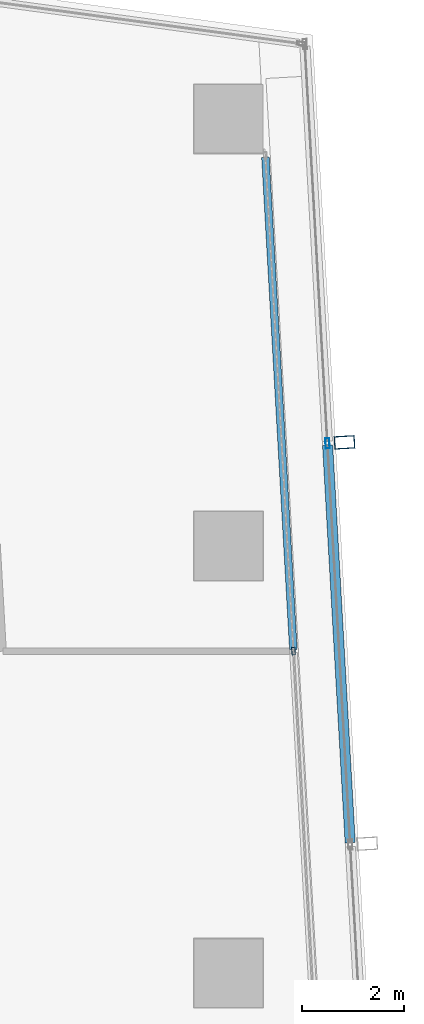
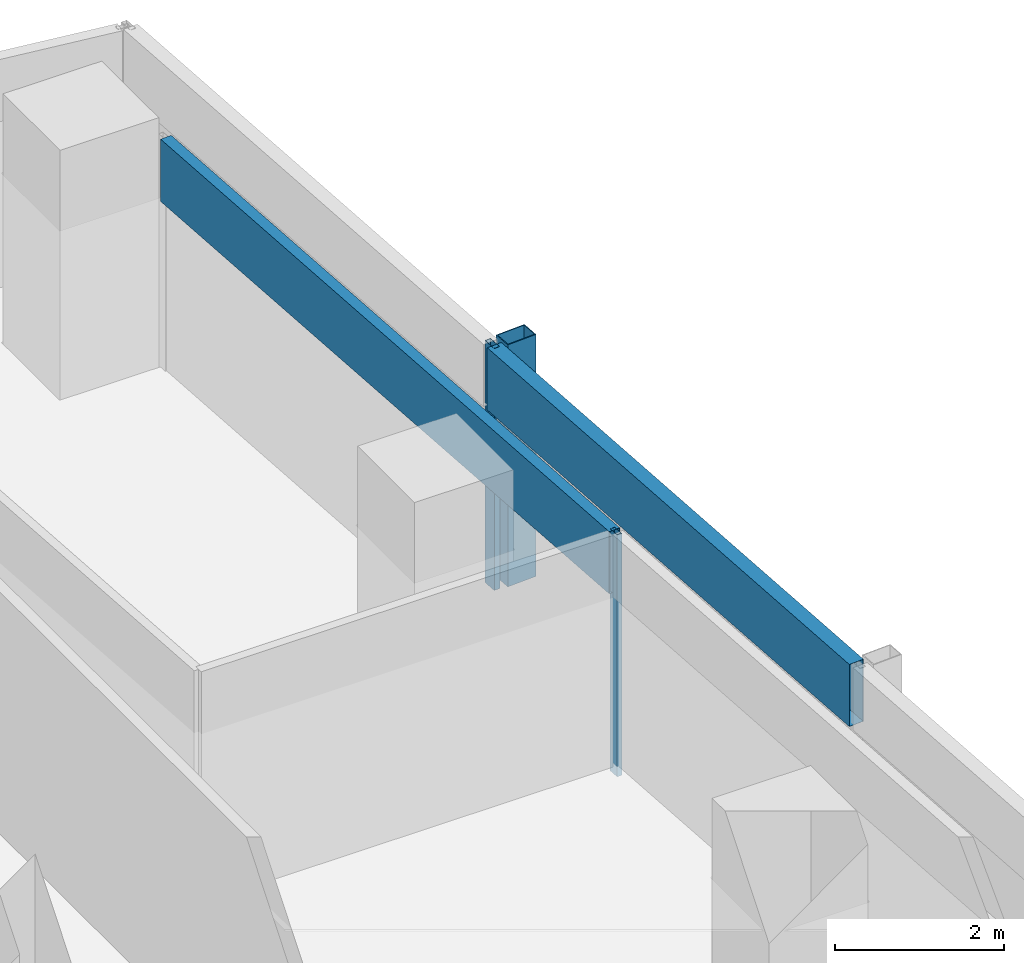
# One storey, part 23 of 40: 5 members, 2 elements without a shape of their own.
"""IFC4 building model written with IfcOpenShell, lengths in metres."""

from ifc_helpers import new_model, si_unit, direction, frame, origin, origin_2d, place, context, subcontext, project, spatial, hollow_rectangle, extrude, material, material_profile, profile_set, type_object, element, aggregate, save


model = new_model("IFC4")

# Units and contexts
model_context = context("Model", 3, precision=1e-05, world=origin(), true_north=direction((0.0, 1.0)))
body_context = subcontext(model_context, "Body", "Model", "MODEL_VIEW")
ifc_project = project(units=[si_unit("LENGTHUNIT", "METRE"), si_unit("AREAUNIT", "SQUARE_METRE"), si_unit("VOLUMEUNIT", "CUBIC_METRE"), si_unit("PLANEANGLEUNIT", "RADIAN"), si_unit("MASSUNIT", "GRAM", prefix="KILO")], contexts=[model_context])

# Site, building, storey
site_placement = place(None, origin())
site = spatial("IfcSite", under=ifc_project, at=site_placement, CompositionType="ELEMENT")
building_placement = place(site_placement, origin())
building = spatial("IfcBuilding", under=site, at=building_placement, Name="Rekha Terrace Tower", CompositionType="ELEMENT")
storey_placement = place(building_placement, frame((0.0, 0.0, 210.199951171875)))
storey = spatial("IfcBuildingStorey", under=building, at=storey_placement, Name="L53", CompositionType="ELEMENT", Elevation=210.199951171875)

# Curtain wall, member
ifc_material_1 = material(Name="Aluminium framing", Category="aluminium")
curtain_wall_type_1 = type_object("IfcCurtainWallType", Name="CW2 double skin outer glazing", PredefinedType="USERDEFINED", material=ifc_material_1)
curtain_wall_1_placement = place(storey_placement, origin())
curtain_wall_1 = element("IfcCurtainWall", 1, at=curtain_wall_1_placement, inside=storey, type_object=curtain_wall_type_1, Name="CW2 double skin outer glazing", ObjectType="DOUBLE SKIN OUTER GLAZING", PredefinedType="USERDEFINED")
ifc_material_2 = material(Name="Steel S355 with fluorocarbon finish", Category="steel")
ifc_material_profile_1 = material_profile(ifc_material_2, hollow_rectangle(XDim=0.25, YDim=0.39990234375, WallThickness=0.012451171875, at=origin_2d()), Name="RHS400x250x12.5")
ifc_profile_set_1 = profile_set([ifc_material_profile_1], Name="Steel S355 with fluorocarbon finish")
member_type_1 = type_object("IfcMemberType", Name="BL1 facade blade RHS 400 x 250", PredefinedType="USERDEFINED", material=ifc_profile_set_1)
member_1_placement = place(storey_placement, frame((61.080078125, 52.4375, 0.0), z_axis=(0.0, 0.0, 1.0), x_axis=(-0.056673619809, 0.998392758797, 0.0)))
member_1 = element("IfcMember", 2, at=member_1_placement, type_object=member_type_1, Name="Facade blade", ObjectType="FACADE BLADE", PredefinedType="USERDEFINED", context=body_context, shape_type="SweptSolid", body=[
    extrude(hollow_rectangle(XDim=0.25, YDim=0.39990234375, WallThickness=0.012451171875, at=origin_2d()), origin(), (0.0, 0.0, 1.0), 3.5),
])

# Curtain wall, members
curtain_wall_type_2 = type_object("IfcCurtainWallType", Name="CW1 double skin inner glazing", PredefinedType="USERDEFINED", material=ifc_material_1)
curtain_wall_2_placement = place(storey_placement, origin())
curtain_wall_2 = element("IfcCurtainWall", 3, at=curtain_wall_2_placement, inside=storey, type_object=curtain_wall_type_2, Name="CW1 double skin inner glazing", ObjectType="DOUBLE SKIN INNER GLAZING", PredefinedType="USERDEFINED")
ifc_material_3 = material(Name="Aluminium mullion section", Category="aluminium")
ifc_material_profile_2 = material_profile(ifc_material_3, hollow_rectangle(XDim=0.06494140625, YDim=0.14990234375, WallThickness=0.00390625, at=origin_2d()), Name="AL RHS 65x150")
ifc_profile_set_2 = profile_set([ifc_material_profile_2], Name="Aluminium mullion section")
member_type_2 = type_object("IfcMemberType", Name="CW1 mullion RHS 65 x 150", PredefinedType="MULLION", material=ifc_profile_set_2)
member_2_placement = place(storey_placement, frame((60.076171875, 48.331787109375, 0.0), z_axis=(0.0, 0.0, 1.0), x_axis=(-0.998392782919, -0.05667319486, 0.0)))
member_2 = element("IfcMember", 4, at=member_2_placement, type_object=member_type_2, Name="CW1 mullion 3", PredefinedType="MULLION", context=body_context, shape_type="SweptSolid", body=[
    extrude(hollow_rectangle(XDim=0.06494140625, YDim=0.14990234375, WallThickness=0.00390625, at=origin_2d()), origin(), (0.0, 0.0, 1.0), 3.5),
])
ifc_material_4 = material(Name="Insulated aluminium spandrel box", Category="aluminium")
ifc_material_profile_3 = material_profile(ifc_material_4, hollow_rectangle(XDim=0.14990234375, YDim=0.89990234375, WallThickness=0.0029296875, at=origin_2d()), Name="AL SPANDREL BOX 150x900")
ifc_profile_set_3 = profile_set([ifc_material_profile_3], Name="Insulated aluminium spandrel box")
member_type_3 = type_object("IfcMemberType", Name="CW1 spandrel transom 150 x 900", PredefinedType="USERDEFINED", material=ifc_profile_set_3)
member_3_placement = place(storey_placement, frame((60.07421875, 48.3642578125, 3.050048828125), z_axis=(-0.056665357377, 0.998393227778, 0.0), x_axis=(-0.998393227778, -0.056665357377, 0.0)))
member_3 = element("IfcMember", 5, at=member_3_placement, type_object=member_type_3, Name="CW1 spandrel transom 3", ObjectType="TRANSOM", PredefinedType="USERDEFINED", context=body_context, shape_type="SweptSolid", body=[
    extrude(hollow_rectangle(XDim=0.14990234375, YDim=0.89990234375, WallThickness=0.0029296875, at=origin_2d()), origin(), (0.0, 0.0, 1.0), 9.694091796875),
])
aggregate(curtain_wall_2, [member_2, member_3])

# Member
ifc_material_profile_4 = material_profile(ifc_material_3, hollow_rectangle(XDim=0.080078125, YDim=0.199951171875, WallThickness=0.00390625, at=origin_2d()), Name="AL RHS 80x200")
ifc_profile_set_4 = profile_set([ifc_material_profile_4], Name="Aluminium mullion section")
member_type_4 = type_object("IfcMemberType", Name="CW2 mullion RHS 80 x 200", PredefinedType="MULLION", material=ifc_profile_set_4)
member_4_placement = place(storey_placement, frame((60.74560546875, 52.41845703125, 0.0), z_axis=(0.0, 0.0, 1.0), x_axis=(-0.998392782919, -0.05667319486, 0.0)))
member_4 = element("IfcMember", 6, at=member_4_placement, type_object=member_type_4, Name="CW2 mullion 4", PredefinedType="MULLION", context=body_context, shape_type="SweptSolid", body=[
    extrude(hollow_rectangle(XDim=0.080078125, YDim=0.199951171875, WallThickness=0.00390625, at=origin_2d()), origin(), (0.0, 0.0, 1.0), 3.5),
])

ifc_material_profile_5 = material_profile(ifc_material_4, hollow_rectangle(XDim=0.199951171875, YDim=0.89990234375, WallThickness=0.0029296875, at=origin_2d()), Name="AL SPANDREL BOX 200x900")
ifc_profile_set_5 = profile_set([ifc_material_profile_5], Name="Insulated aluminium spandrel box")
member_type_5 = type_object("IfcMemberType", Name="CW2 spandrel transom 200 x 900", PredefinedType="USERDEFINED", material=ifc_profile_set_5)
member_5_placement = place(storey_placement, frame((61.19140625, 44.567626953125, 3.050048828125), z_axis=(-0.056702299999, 0.998391130357, 0.0), x_axis=(-0.998391130357, -0.056702299999, 0.0)))
member_5 = element("IfcMember", 7, at=member_5_placement, type_object=member_type_5, Name="CW2 spandrel transom 3", ObjectType="TRANSOM", PredefinedType="USERDEFINED", context=body_context, shape_type="SweptSolid", body=[
    extrude(hollow_rectangle(XDim=0.199951171875, YDim=0.89990234375, WallThickness=0.0029296875, at=origin_2d()), origin(), (0.0, 0.0, 1.0), 7.823486328125),
])

aggregate(curtain_wall_1, [member_4, member_5, member_1])

save(model, "model.ifc")
